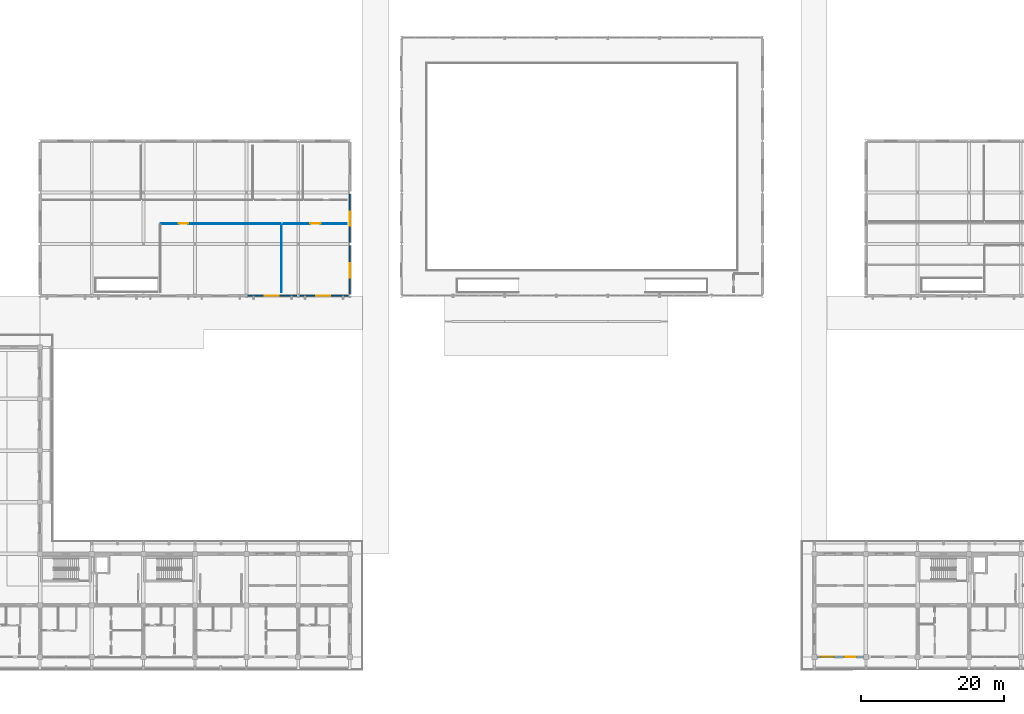
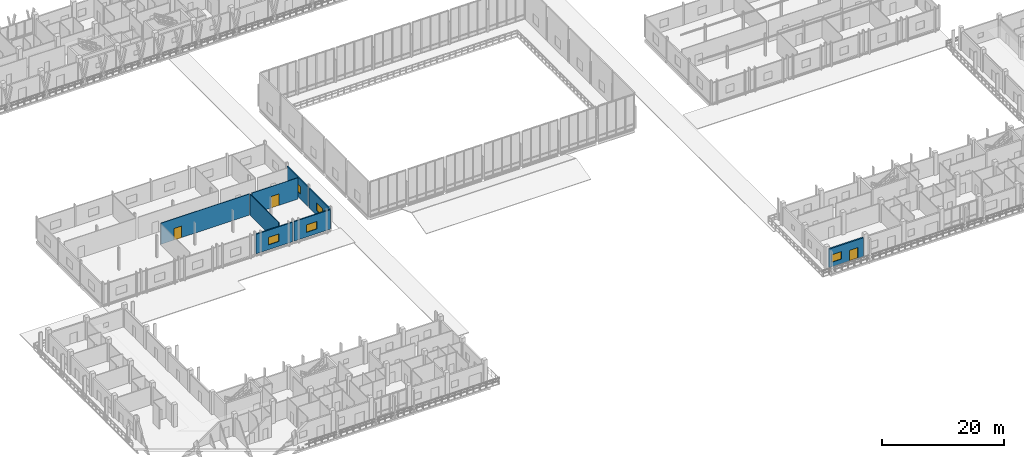
# One storey, part 69 of 110: 8 walls, 5 windows, 3 doors, 8 openings.
"""IFC4 building model written with IfcOpenShell, lengths in metres."""

from ifc_helpers import new_model, si_unit, direction, frame, frame_2d, origin, place, context, subcontext, project, spatial, rectangle, extrude, material, layer, layer_set, type_object, element, fill, save


model = new_model("IFC4")

# Units and contexts
model_context = context("Model", 3, precision=1e-05, world=origin(), true_north=direction((0.0, 1.0)))
body_context = subcontext(model_context, "Body", "Model", "MODEL_VIEW")
ifc_project = project(units=[si_unit("LENGTHUNIT", "METRE"), si_unit("AREAUNIT", "SQUARE_METRE"), si_unit("VOLUMEUNIT", "CUBIC_METRE"), si_unit("PLANEANGLEUNIT", "RADIAN"), si_unit("MASSUNIT", "GRAM", prefix="KILO")], contexts=[model_context])

# Site, building, storey
site_placement = place(None, origin())
site = spatial("IfcSite", under=ifc_project, at=site_placement, CompositionType="ELEMENT")
building_placement = place(site_placement, origin())
building = spatial("IfcBuilding", under=site, at=building_placement, Name="Suanplinth Sawtooth Commons", CompositionType="ELEMENT")
storey_placement = place(building_placement, frame((0.0, 0.0, 4.5)))
storey = spatial("IfcBuildingStorey", under=building, at=storey_placement, Name="L01", CompositionType="ELEMENT", Elevation=4.5)

# Wall, openings, door, window
ifc_material_1 = material(Name="Precast concrete C40/50", Category="concrete")
ifc_layer_1 = layer(ifc_material_1, 0.280029296875, Name="Insulated precast architectural facade wall 280mm")
ifc_layer_set_1 = layer_set([ifc_layer_1], Name="Precast concrete C40/50")
wall_type_1 = type_object("IfcWallType", Name="W-EX01", PredefinedType="ELEMENTEDWALL", material=ifc_layer_set_1)
wall_1_placement = place(storey_placement, frame((122.75, 0.0, 0.0), z_axis=(0.0, 0.0, 1.0), x_axis=(1.0, 0.0, 0.0)))
wall_1 = element("IfcWall", 1, at=wall_1_placement, inside=storey, type_object=wall_type_1, Name="Facade Wall W-L01-C-S-17-0", PredefinedType="ELEMENTEDWALL", context=body_context, shape_type="SweptSolid", body=[
    extrude(rectangle(XDim=6.5, YDim=0.280029296875, at=frame_2d((3.25, 0.0))), origin(), (0.0, 0.0, 1.0), 3.715087890625),
])
opening_1_placement = place(wall_1_placement, frame((3.85009765625, 0.0, 0.0)))
opening_1 = element("IfcOpeningElement", 2, at=opening_1_placement, cuts=wall_1, Name="Opening ED0087", PredefinedType="OPENING", context=body_context, shape_type="SweptSolid", body=[
    extrude(rectangle(XDim=1.60009765625, YDim=2.1201171875, at=frame_2d((0.800048828125, 1.06005859375))), frame((0.0, 0.15478515625, 0.0), z_axis=(0.0, -1.0, 0.0), x_axis=(1.0, 0.0, 0.0)), (0.0, 0.0, 1.0), 0.309814453125),
])
opening_2_placement = place(wall_1_placement, frame((0.550048828125, 0.0, 0.89990234375)))
opening_2 = element("IfcOpeningElement", 3, at=opening_2_placement, cuts=wall_1, Name="Opening W0208", PredefinedType="OPENING", context=body_context, shape_type="SweptSolid", body=[
    extrude(rectangle(XDim=1.800048828125, YDim=1.5, at=frame_2d((0.89990234375, 0.75))), frame((0.0, 0.15478515625, 0.0), z_axis=(0.0, -1.0, 0.0), x_axis=(1.0, 0.0, 0.0)), (0.0, 0.0, 1.0), 0.309814453125),
])
ifc_material_2 = material(Name="Anodized aluminium and low-E glass", Category="aluminium")
door_type_1 = type_object("IfcDoorType", Name="SD-02", OperationType="SLIDING_TO_RIGHT", PredefinedType="DOOR", material=ifc_material_2)
door_1_placement = place(opening_1_placement, frame((1.60009765625, 0.0, 0.0), z_axis=(0.0, 0.0, 1.0), x_axis=(-1.0, 0.0, 0.0)))
door_1 = element("IfcDoor", 4, at=door_1_placement, inside=storey, type_object=door_type_1, Name="Balcony Sliding Door L01-C-17", OperationType="SLIDING_TO_RIGHT", OverallHeight=2.1201171875, OverallWidth=1.60009765625, PredefinedType="DOOR", context=body_context, shape_type="SweptSolid", body=[
    extrude(rectangle(XDim=1.60009765625, YDim=2.1201171875, at=frame_2d((0.800048828125, 1.06005859375))), frame((0.0, 0.02490234375, 0.0), z_axis=(0.0, -1.0, 0.0), x_axis=(1.0, 0.0, 0.0)), (0.0, 0.0, 1.0), 0.050048828125),
])
fill(opening_1, door_1)
ifc_material_3 = material(Name="Thermally broken aluminium and low-E double glazing", Category="aluminium")
window_type_1 = type_object("IfcWindowType", Name="WN-01", PartitioningType="DOUBLE_PANEL_VERTICAL", PredefinedType="WINDOW", material=ifc_material_3)
window_1_placement = place(opening_2_placement, origin())
window_1 = element("IfcWindow", 5, at=window_1_placement, inside=storey, type_object=window_type_1, Name="Apartment Window L01-C-17", OverallHeight=1.5, OverallWidth=1.800048828125, PartitioningType="DOUBLE_PANEL_VERTICAL", PredefinedType="WINDOW", context=body_context, shape_type="SweptSolid", body=[
    extrude(rectangle(XDim=1.800048828125, YDim=1.5, at=frame_2d((0.89990234375, 0.75))), frame((0.0, 0.030029296875, 0.0), z_axis=(0.0, -1.0, 0.0), x_axis=(1.0, 0.0, 0.0)), (0.0, 0.0, 1.0), 0.06005859375),
])
fill(opening_2, window_1)

# Wall, opening, window
ifc_layer_2 = layer(ifc_material_1, 0.219970703125, Name="Civic pavilion insulated facade wall 220mm")
ifc_layer_set_2 = layer_set([ifc_layer_2], Name="Precast concrete C40/50")
wall_type_2 = type_object("IfcWallType", Name="W-EX05", PredefinedType="ELEMENTEDWALL", material=ifc_layer_set_2)
wall_2_placement = place(storey_placement, frame((43.35009765625, 50.39990234375, 0.0), z_axis=(0.0, 0.0, 1.0), x_axis=(1.0, 0.0, 0.0)))
wall_2 = element("IfcWall", 6, at=wall_2_placement, inside=storey, type_object=wall_type_2, Name="Makerspace S Wall L01-6", PredefinedType="ELEMENTEDWALL", context=body_context, shape_type="SweptSolid", body=[
    extrude(rectangle(XDim=6.89990234375, YDim=0.219970703125, at=frame_2d((3.449951171875, 0.0))), origin(), (0.0, 0.0, 1.0), 3.89990234375),
])
opening_3_placement = place(wall_2_placement, frame((2.35009765625, 0.0, 0.949951171875)))
opening_3 = element("IfcOpeningElement", 7, at=opening_3_placement, cuts=wall_2, Name="Opening W0062", PredefinedType="OPENING", context=body_context, shape_type="SweptSolid", body=[
    extrude(rectangle(XDim=2.0, YDim=1.5, at=frame_2d((1.0, 0.75))), frame((0.0, 0.125, 0.0), z_axis=(0.0, -1.0, 0.0), x_axis=(1.0, 0.0, 0.0)), (0.0, 0.0, 1.0), 0.249755859375),
])
window_type_2 = type_object("IfcWindowType", Name="WN-09", PartitioningType="DOUBLE_PANEL_VERTICAL", PredefinedType="WINDOW", material=ifc_material_3)
window_2_placement = place(opening_3_placement, origin())
window_2 = element("IfcWindow", 8, at=window_2_placement, inside=storey, type_object=window_type_2, Name="Makerspace Window S-6", OverallHeight=1.5, OverallWidth=2.0, PartitioningType="DOUBLE_PANEL_VERTICAL", PredefinedType="WINDOW", context=body_context, shape_type="SweptSolid", body=[
    extrude(rectangle(XDim=2.0, YDim=1.5, at=frame_2d((1.0, 0.75))), frame((0.0, 0.030029296875, 0.0), z_axis=(0.0, -1.0, 0.0), x_axis=(1.0, 0.0, 0.0)), (0.0, 0.0, 1.0), 0.06005859375),
])
fill(opening_3, window_2)

wall_3_placement = place(storey_placement, frame((50.550048828125, 50.39990234375, 0.0), z_axis=(0.0, 0.0, 1.0), x_axis=(1.0, 0.0, 0.0)))
wall_3 = element("IfcWall", 9, at=wall_3_placement, inside=storey, type_object=wall_type_2, Name="Makerspace S Wall L01-7", PredefinedType="ELEMENTEDWALL", context=body_context, shape_type="SweptSolid", body=[
    extrude(rectangle(XDim=6.89990234375, YDim=0.219970703125, at=frame_2d((3.449951171875, 0.0))), origin(), (0.0, 0.0, 1.0), 3.89990234375),
])
opening_4_placement = place(wall_3_placement, frame((2.35009765625, 0.0, 0.949951171875)))
opening_4 = element("IfcOpeningElement", 10, at=opening_4_placement, cuts=wall_3, Name="Opening W0064", PredefinedType="OPENING", context=body_context, shape_type="SweptSolid", body=[
    extrude(rectangle(XDim=2.0, YDim=1.5, at=frame_2d((1.0, 0.75))), frame((0.0, 0.125, 0.0), z_axis=(0.0, -1.0, 0.0), x_axis=(1.0, 0.0, 0.0)), (0.0, 0.0, 1.0), 0.249755859375),
])
window_3_placement = place(opening_4_placement, origin())
window_3 = element("IfcWindow", 11, at=window_3_placement, inside=storey, type_object=window_type_2, Name="Makerspace Window S-7", OverallHeight=1.5, OverallWidth=2.0, PartitioningType="DOUBLE_PANEL_VERTICAL", PredefinedType="WINDOW", context=body_context, shape_type="SweptSolid", body=[
    extrude(rectangle(XDim=2.0, YDim=1.5, at=frame_2d((1.0, 0.75))), frame((0.0, 0.030029296875, 0.0), z_axis=(0.0, -1.0, 0.0), x_axis=(1.0, 0.0, 0.0)), (0.0, 0.0, 1.0), 0.06005859375),
])
fill(opening_4, window_3)

wall_4_placement = place(storey_placement, frame((57.60009765625, 50.580078125, 0.0), z_axis=(0.0, 0.0, 1.0), x_axis=(0.0, 1.0, 0.0)))
wall_4 = element("IfcWall", 12, at=wall_4_placement, inside=storey, type_object=wall_type_2, Name="Market E Wall L01-7", PredefinedType="ELEMENTEDWALL", context=body_context, shape_type="SweptSolid", body=[
    extrude(rectangle(XDim=6.83984375, YDim=0.219970703125, at=frame_2d((3.419921875, 0.0))), origin(), (0.0, 0.0, 1.0), 3.89990234375),
])
opening_5_placement = place(wall_4_placement, frame((2.35009765625, 0.0, 0.949951171875)))
opening_5 = element("IfcOpeningElement", 13, at=opening_5_placement, cuts=wall_4, Name="Opening W0068", PredefinedType="OPENING", context=body_context, shape_type="SweptSolid", body=[
    extrude(rectangle(XDim=2.0, YDim=1.5, at=frame_2d((1.0, 0.75))), frame((0.0, 0.125, 0.0), z_axis=(0.0, -1.0, 0.0), x_axis=(1.0, 0.0, 0.0)), (0.0, 0.0, 1.0), 0.249755859375),
])
window_4_placement = place(opening_5_placement, origin())
window_4 = element("IfcWindow", 14, at=window_4_placement, inside=storey, type_object=window_type_2, Name="Market E Window L01-7", OverallHeight=1.5, OverallWidth=2.0, PartitioningType="DOUBLE_PANEL_VERTICAL", PredefinedType="WINDOW", context=body_context, shape_type="SweptSolid", body=[
    extrude(rectangle(XDim=2.0, YDim=1.5, at=frame_2d((1.0, 0.75))), frame((0.0, 0.030029296875, 0.0), z_axis=(0.0, -1.0, 0.0), x_axis=(1.0, 0.0, 0.0)), (0.0, 0.0, 1.0), 0.06005859375),
])
fill(opening_5, window_4)

wall_5_placement = place(storey_placement, frame((57.60009765625, 57.780029296875, 0.0), z_axis=(0.0, 0.0, 1.0), x_axis=(0.0, 1.0, 0.0)))
wall_5 = element("IfcWall", 15, at=wall_5_placement, inside=storey, type_object=wall_type_2, Name="Market E Wall L01-8", PredefinedType="ELEMENTEDWALL", context=body_context, shape_type="SweptSolid", body=[
    extrude(rectangle(XDim=6.840087890625, YDim=0.219970703125, at=frame_2d((3.419921875, 0.0))), origin(), (0.0, 0.0, 1.0), 3.89990234375),
])
opening_6_placement = place(wall_5_placement, frame((2.35009765625, 0.0, 0.949951171875)))
opening_6 = element("IfcOpeningElement", 16, at=opening_6_placement, cuts=wall_5, Name="Opening W0071", PredefinedType="OPENING", context=body_context, shape_type="SweptSolid", body=[
    extrude(rectangle(XDim=2.0, YDim=1.5, at=frame_2d((1.0, 0.75))), frame((0.0, 0.125, 0.0), z_axis=(0.0, -1.0, 0.0), x_axis=(1.0, 0.0, 0.0)), (0.0, 0.0, 1.0), 0.249755859375),
])
window_5_placement = place(opening_6_placement, origin())
window_5 = element("IfcWindow", 17, at=window_5_placement, inside=storey, type_object=window_type_2, Name="Market E Window L01-8", OverallHeight=1.5, OverallWidth=2.0, PartitioningType="DOUBLE_PANEL_VERTICAL", PredefinedType="WINDOW", context=body_context, shape_type="SweptSolid", body=[
    extrude(rectangle(XDim=2.0, YDim=1.5, at=frame_2d((1.0, 0.75))), frame((0.0, 0.030029296875, 0.0), z_axis=(0.0, -1.0, 0.0), x_axis=(1.0, 0.0, 0.0)), (0.0, 0.0, 1.0), 0.06005859375),
])
fill(opening_6, window_5)

# Wall, opening, door
ifc_material_4 = material(Name="Gypsum plasterboard on steel stud", Category="steel")
ifc_layer_3 = layer(ifc_material_4, 0.110107421875, Name="Civic classroom and clinic partition 110mm")
ifc_layer_set_3 = layer_set([ifc_layer_3], Name="Gypsum plasterboard on steel stud")
wall_type_3 = type_object("IfcWallType", Name="W-PT04", PredefinedType="PARTITIONING", material=ifc_layer_set_3)
wall_6_placement = place(storey_placement, frame((31.199951171875, 60.4599609375, 0.0), z_axis=(0.0, 0.0, 1.0), x_axis=(1.0, 0.0, 0.0)))
wall_6 = element("IfcWall", 18, at=wall_6_placement, inside=storey, type_object=wall_type_3, Name="W-L01-MKT-MAKER-N", PredefinedType="PARTITIONING", context=body_context, shape_type="SweptSolid", body=[
    extrude(rectangle(XDim=16.800048828125, YDim=0.110107421875, at=frame_2d((8.39990234375, 0.0))), origin(), (0.0, 0.0, 1.0), 4.25),
])
opening_7_placement = place(wall_6_placement, frame((2.52490234375, 0.0, 0.0)))
opening_7 = element("IfcOpeningElement", 19, at=opening_7_placement, cuts=wall_6, Name="Opening D0464", PredefinedType="OPENING", context=body_context, shape_type="SweptSolid", body=[
    extrude(rectangle(XDim=1.35009765625, YDim=2.300048828125, at=frame_2d((0.675048828125, 1.14990234375))), frame((0.0, 0.06982421875, 0.0), z_axis=(0.0, -1.0, 0.0), x_axis=(1.0, 0.0, 0.0)), (0.0, 0.0, 1.0), 0.139892578125),
])
ifc_material_5 = material(Name="Teak hardwood", Category="wood")
door_type_2 = type_object("IfcDoorType", Name="D-09", OperationType="DOUBLE_DOOR_SINGLE_SWING", PredefinedType="DOOR", material=ifc_material_5)
door_2_placement = place(opening_7_placement, frame((1.35009765625, 0.0, 0.0), z_axis=(0.0, 0.0, 1.0), x_axis=(-1.0, 0.0, 0.0)))
door_2 = element("IfcDoor", 20, at=door_2_placement, inside=storey, type_object=door_type_2, Name="Civic Room Door D0464", OperationType="DOUBLE_DOOR_SINGLE_SWING", OverallHeight=2.300048828125, OverallWidth=1.35009765625, PredefinedType="DOOR", context=body_context, shape_type="SweptSolid", body=[
    extrude(rectangle(XDim=1.35009765625, YDim=2.300048828125, at=frame_2d((0.675048828125, 1.14990234375))), frame((0.0, 0.02490234375, 0.0), z_axis=(0.0, -1.0, 0.0), x_axis=(1.0, 0.0, 0.0)), (0.0, 0.0, 1.0), 0.050048828125),
])
fill(opening_7, door_2)

# Wall
wall_7_placement = place(storey_placement, frame((48.06005859375, 50.8798828125, 0.0), z_axis=(0.0, 0.0, 1.0), x_axis=(0.0, 1.0, 0.0)))
element("IfcWall", 21, at=wall_7_placement, inside=storey, type_object=wall_type_3, Name="W-L01-MKT-MAKER-E", PredefinedType="PARTITIONING", context=body_context, shape_type="SweptSolid", body=[
    extrude(rectangle(XDim=9.440185546875, YDim=0.110107421875, at=frame_2d((4.72021484375, 0.0))), origin(), (0.0, 0.0, 1.0), 4.25),
])

# Wall, opening, door
wall_8_placement = place(storey_placement, frame((48.39990234375, 60.4599609375, 0.0), z_axis=(0.0, 0.0, 1.0), x_axis=(1.0, 0.0, 0.0)))
wall_8 = element("IfcWall", 22, at=wall_8_placement, inside=storey, type_object=wall_type_3, Name="W-L01-MKT-TEACH-N", PredefinedType="PARTITIONING", context=body_context, shape_type="SweptSolid", body=[
    extrude(rectangle(XDim=8.800048828125, YDim=0.110107421875, at=frame_2d((4.39990234375, 0.0))), origin(), (0.0, 0.0, 1.0), 4.25),
])
opening_8_placement = place(wall_8_placement, frame((3.659912109375, 0.0, 0.0)))
opening_8 = element("IfcOpeningElement", 23, at=opening_8_placement, cuts=wall_8, Name="Opening D0465", PredefinedType="OPENING", context=body_context, shape_type="SweptSolid", body=[
    extrude(rectangle(XDim=1.47998046875, YDim=2.300048828125, at=frame_2d((0.739990234375, 1.14990234375))), frame((0.0, 0.06982421875, 0.0), z_axis=(0.0, -1.0, 0.0), x_axis=(1.0, 0.0, 0.0)), (0.0, 0.0, 1.0), 0.139892578125),
])
door_type_3 = type_object("IfcDoorType", Name="D-22", OperationType="DOUBLE_DOOR_SINGLE_SWING", PredefinedType="DOOR", material=ifc_material_5)
door_3_placement = place(opening_8_placement, frame((1.47998046875, 0.0, 0.0), z_axis=(0.0, 0.0, 1.0), x_axis=(-1.0, 0.0, 0.0)))
door_3 = element("IfcDoor", 24, at=door_3_placement, inside=storey, type_object=door_type_3, Name="Civic Room Door D0465", OperationType="DOUBLE_DOOR_SINGLE_SWING", OverallHeight=2.300048828125, OverallWidth=1.47998046875, PredefinedType="DOOR", context=body_context, shape_type="SweptSolid", body=[
    extrude(rectangle(XDim=1.47998046875, YDim=2.300048828125, at=frame_2d((0.739990234375, 1.14990234375))), frame((0.0, 0.02490234375, 0.0), z_axis=(0.0, -1.0, 0.0), x_axis=(1.0, 0.0, 0.0)), (0.0, 0.0, 1.0), 0.050048828125),
])
fill(opening_8, door_3)

save(model, "model.ifc")
